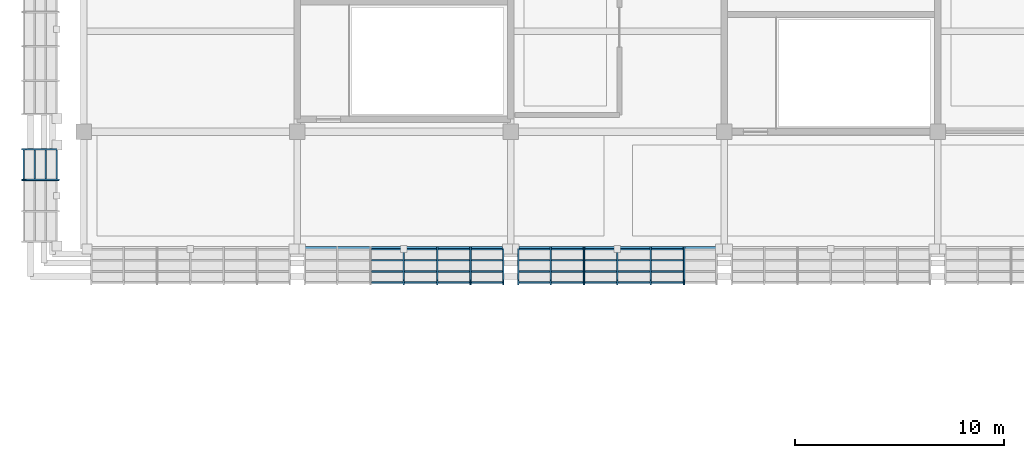
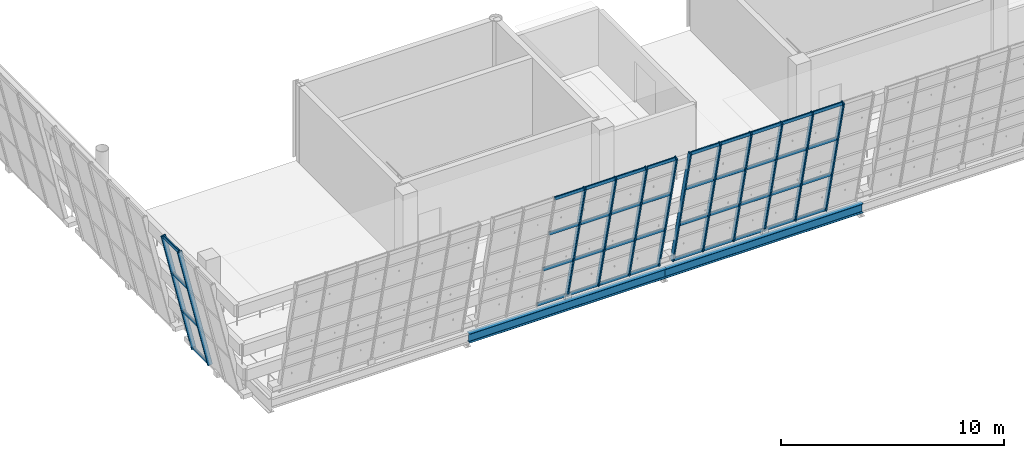
# One storey, part 22 of 157: 52 members, 2 beams, 3 elements without a shape of their own.
"""IFC4 building model written with IfcOpenShell, lengths in metres."""

import ifcopenshell
import ifcopenshell.guid

model = None  # the IFC model being written
_history = None  # IfcOwnerHistory: only IFC2X3 demands one
_inside = {}  # id of a spatial element -> (the spatial element, [elements in it])
_under = {}  # id of a project, library or spatial element -> (it, [spatial elements below it])
_declared = {}  # id of a project -> (the project, [libraries it declares])
_typed = {}  # id of a type object -> (the type object, [elements of that type])
_made_of = {}  # id of a material, layer set ... -> (it, [elements and type objects made of it])


def new_model(schema):
    """Start an empty IFC model of exactly this schema.

    Asked for "IFC4X3", IfcOpenShell would pick the latest addendum, in which some entities
    have other attributes; the version numbers below select the first issue.
    IFC2X3 requires an IfcOwnerHistory on every rooted entity: one is made here for all.
    """
    global model, _history
    if schema == "IFC4X3":
        model = ifcopenshell.file(schema_version=(4, 3, 0, 0))
    else:
        model = ifcopenshell.file(schema=schema)
    _inside.clear()
    _under.clear()
    _declared.clear()
    _typed.clear()
    _made_of.clear()
    _history = None
    if model.schema == "IFC2X3":
        org = make("IfcOrganization", Name="unknown")
        user = make(
            "IfcPersonAndOrganization",
            ThePerson=make("IfcPerson", FamilyName="unknown"),
            TheOrganization=org,
        )
        app = make(
            "IfcApplication",
            ApplicationDeveloper=org,
            Version="unknown",
            ApplicationFullName="unknown",
            ApplicationIdentifier="unknown",
        )
        _history = make(
            "IfcOwnerHistory",
            OwningUser=user,
            OwningApplication=app,
            ChangeAction="ADDED",
            CreationDate=0,
        )
    return model


def make(cls, **values):
    """One entity of the class cls with the attributes given. An attribute that is None is left unset."""
    return model.create_entity(
        cls, **{name: value for name, value in values.items() if value is not None}
    )


def rooted(cls, **values):
    """An entity with a GlobalId (a new one), such as an element, a storey or a relation."""
    return make(cls, GlobalId=ifcopenshell.guid.new(), OwnerHistory=_history, **values)


def si_unit(unit_type, name, prefix=None):
    """IfcSIUnit, for example si_unit("LENGTHUNIT", "METRE", prefix="MILLI")."""
    return make("IfcSIUnit", UnitType=unit_type, Prefix=prefix, Name=name)


def assignment(units):
    """IfcUnitAssignment: the units of a project."""
    return None if units is None else make("IfcUnitAssignment", Units=units)


def point(xyz):
    """IfcCartesianPoint."""
    return None if xyz is None else make("IfcCartesianPoint", Coordinates=xyz)


def direction(xyz):
    """IfcDirection."""
    return None if xyz is None else make("IfcDirection", DirectionRatios=xyz)


def frame(location, z_axis=None, x_axis=None):
    """IfcAxis2Placement3D, a coordinate frame: its origin and axes. An axis left out is left unset."""
    return make(
        "IfcAxis2Placement3D",
        Location=point(location),
        Axis=direction(z_axis),
        RefDirection=direction(x_axis),
    )


def frame_2d(location, x_axis=None):
    """IfcAxis2Placement2D, a coordinate frame in the plane: its origin and x axis."""
    return make(
        "IfcAxis2Placement2D", Location=point(location), RefDirection=direction(x_axis)
    )


def origin():
    """The frame at (0, 0, 0) with its axes left unset."""
    return frame((0.0, 0.0, 0.0))


def origin_2d():
    """The frame at (0, 0) in the plane with its x axis left unset."""
    return frame_2d((0.0, 0.0))


def place(relative_to, where):
    """IfcLocalPlacement: puts the frame where relative to a parent placement (None: the world)."""
    return make(
        "IfcLocalPlacement", PlacementRelTo=relative_to, RelativePlacement=where
    )


def context(
    kind, dimensions, precision=None, world=None, true_north=None, identifier=None
):
    """IfcGeometricRepresentationContext, for example the 3D "Model" context."""
    return make(
        "IfcGeometricRepresentationContext",
        ContextIdentifier=identifier,
        ContextType=kind,
        CoordinateSpaceDimension=dimensions,
        Precision=precision,
        WorldCoordinateSystem=world,
        TrueNorth=true_north,
    )


def subcontext(parent, identifier, kind, view, scale=None):
    """IfcGeometricRepresentationSubContext, for example "Body" below "Model"."""
    return make(
        "IfcGeometricRepresentationSubContext",
        ContextIdentifier=identifier,
        ContextType=kind,
        ParentContext=parent,
        TargetScale=scale,
        TargetView=view,
    )


def project(units=None, contexts=None):
    """IfcProject with its units and contexts."""
    return rooted(
        "IfcProject",
        Name="project",
        RepresentationContexts=contexts,
        UnitsInContext=assignment(units),
    )


def spatial(cls, under=None, at=None, **own):
    """A site, building, storey or space (cls), placed at a placement, below another one or the project."""
    s = rooted(cls, ObjectPlacement=at, **own)
    if under is not None:
        _under.setdefault(under.id(), (under, []))[1].append(s)
    return s


def profile(cls, at=None, kind="AREA", **sizes):
    """A parametric profile (cls). Its sizes go by their IFC names, for example OverallWidth=200.0."""
    return make(cls, ProfileType=kind, Position=at, **sizes)


def hollow_rectangle(**sizes):
    """IfcRectangleHollowProfileDef."""
    return profile("IfcRectangleHollowProfileDef", **sizes)


def i_section(**sizes):
    """IfcIShapeProfileDef."""
    return profile("IfcIShapeProfileDef", **sizes)


def extrude(swept, where, along, depth):
    """IfcExtrudedAreaSolid: the profile swept, set in the frame where, extruded along a direction by depth."""
    return make(
        "IfcExtrudedAreaSolid",
        SweptArea=swept,
        Position=where,
        ExtrudedDirection=direction(along),
        Depth=depth,
    )


def shape(context_of_items, identifier, shape_type, items):
    """IfcShapeRepresentation: the items that make up one representation, for example the "Body"."""
    return make(
        "IfcShapeRepresentation",
        ContextOfItems=context_of_items,
        RepresentationIdentifier=identifier,
        RepresentationType=shape_type,
        Items=items,
    )


def material(Name=None, Category=None):
    """IfcMaterial."""
    return make("IfcMaterial", Name=Name, Category=Category)


def material_profile(
    of_material, cross_section, Name=None, Category=None, Priority=None
):
    """IfcMaterialProfile: a cross section and its material."""
    return make(
        "IfcMaterialProfile",
        Name=Name,
        Material=of_material,
        Profile=cross_section,
        Priority=Priority,
        Category=Category,
    )


def profile_set(profiles, Name=None, composite=None):
    """IfcMaterialProfileSet."""
    return make(
        "IfcMaterialProfileSet",
        Name=Name,
        MaterialProfiles=profiles,
        CompositeProfile=composite,
    )


def made_of(thing, what):
    """Note that an element or type object is made of a material, layer set ...; save() writes the relation."""
    if what is not None:
        _made_of.setdefault(what.id(), (what, []))[1].append(thing)
    return thing


def type_object(cls, material=None, **own):
    """A type object (cls), such as IfcWallType, which elements share."""
    return made_of(rooted(cls, **own), material)


def element(
    cls,
    number,
    at=None,
    inside=None,
    cuts=None,
    type_object=None,
    material=None,
    context=None,
    identifier="Body",
    shape_type=None,
    held_by="IfcProductDefinitionShape",
    body=None,
    shapes=None,
    **own,
):
    """One element of the class cls, such as IfcWall. Its Tag is "e" and its number.

    at: its placement. inside: the storey or other place that contains it. cuts: it is an
    opening in that element (IfcRelVoidsElement). A single representation is given by context,
    identifier, shape_type and body (its items); several are given by shapes. held_by: the class
    of the entity that holds the representations. save() writes the other relations.
    """
    e = rooted(cls, Tag="e%d" % number, ObjectPlacement=at, **own)
    if body is not None:
        shapes = [shape(context, identifier, shape_type, body)]
    if shapes is not None:
        e.Representation = make(held_by, Representations=shapes)
    if inside is not None:
        _inside.setdefault(inside.id(), (inside, []))[1].append(e)
    if cuts is not None:
        rooted(
            "IfcRelVoidsElement", RelatingBuildingElement=cuts, RelatedOpeningElement=e
        )
    if type_object is not None:
        _typed.setdefault(type_object.id(), (type_object, []))[1].append(e)
    return made_of(e, material)


def aggregate(whole, parts):
    """IfcRelAggregates: a whole, such as a stair, and the parts it consists of."""
    return rooted("IfcRelAggregates", RelatingObject=whole, RelatedObjects=parts)


def save(model, path):
    """Write the relations noted so far, then the file.

    IfcRelAggregates (storeys below a building ...), IfcRelContainedInSpatialStructure (elements
    in a storey), IfcRelDefinesByType, IfcRelAssociatesMaterial and IfcRelDeclares: one each for
    every whole, place, type object, material and project.
    """
    for whole, parts in _under.values():
        aggregate(whole, parts)
    for where, things in _inside.values():
        rooted(
            "IfcRelContainedInSpatialStructure",
            RelatedElements=things,
            RelatingStructure=where,
        )
    for kind, things in _typed.values():
        rooted("IfcRelDefinesByType", RelatedObjects=things, RelatingType=kind)
    for what, things in _made_of.values():
        rooted("IfcRelAssociatesMaterial", RelatedObjects=things, RelatingMaterial=what)
    for by, libraries in _declared.values():
        rooted("IfcRelDeclares", RelatingContext=by, RelatedDefinitions=libraries)
    model.write(path)


model = new_model("IFC4")

# Units and contexts
model_context = context("Model", 3, precision=1e-05, world=origin(), true_north=direction((0.0, 1.0)))
body_context = subcontext(model_context, "Body", "Model", "MODEL_VIEW")
ifc_project = project(units=[si_unit("LENGTHUNIT", "METRE"), si_unit("AREAUNIT", "SQUARE_METRE"), si_unit("VOLUMEUNIT", "CUBIC_METRE"), si_unit("PLANEANGLEUNIT", "RADIAN"), si_unit("MASSUNIT", "GRAM", prefix="KILO")], contexts=[model_context])

# Site, building, storey
site_placement = place(None, origin())
site = spatial("IfcSite", under=ifc_project, at=site_placement, CompositionType="ELEMENT")
building_placement = place(site_placement, origin())
building = spatial("IfcBuilding", under=site, at=building_placement, Name="Brelvane Convention Centre", CompositionType="ELEMENT")
storey_placement = place(building_placement, frame((0.0, 0.0, 10.800048828125)))
storey = spatial("IfcBuildingStorey", under=building, at=storey_placement, Name="L02", CompositionType="ELEMENT", Elevation=10.800048828125)

# Curtain wall, members
ifc_material_1 = material(Name="Anodised Aluminium Alloy 6063-T6", Category="aluminium")
curtain_wall_type = type_object("IfcCurtainWallType", Name="Curtain Wall CW-HULL-S", PredefinedType="USERDEFINED", material=ifc_material_1)
curtain_wall_1_placement = place(storey_placement, origin())
curtain_wall_1 = element("IfcCurtainWall", 1, at=curtain_wall_1_placement, inside=storey, type_object=curtain_wall_type, Name="Curtain Wall CW-HULL-S L02-HULL-S-L02-02", ObjectType="UNITISED", PredefinedType="USERDEFINED")
ifc_material_2 = material(Name="Anodised Aluminium Alloy 6063-T6", Category="aluminium")
ifc_material_profile_1 = material_profile(ifc_material_2, hollow_rectangle(XDim=0.080078125, YDim=0.239990234375, WallThickness=0.006103515625, InnerFilletRadius=0.006103515625, OuterFilletRadius=0.011962890625, at=origin_2d()), Name="ALU-M 240x80x6.0")
ifc_profile_set_1 = profile_set([ifc_material_profile_1], Name="Anodised Aluminium Alloy 6063-T6")
member_type_1 = type_object("IfcMemberType", Name="Curtain Mullion CW-M1", PredefinedType="MULLION", material=ifc_profile_set_1)
member_1_placement = place(storey_placement, frame((15.300048828125, 13.60009765625, 0.0), z_axis=(0.0, -0.228360410362, 0.973576665178), x_axis=(1.0, 0.0, 0.0)))
member_1 = element("IfcMember", 2, at=member_1_placement, type_object=member_type_1, Name="CW-HULL-S mullion 4", PredefinedType="MULLION", context=body_context, shape_type="SweptSolid", body=[
    extrude(hollow_rectangle(XDim=0.080078125, YDim=0.239990234375, WallThickness=0.006103515625, InnerFilletRadius=0.006103515625, OuterFilletRadius=0.011962890625, at=origin_2d()), origin(), (0.0, 0.0, 1.0), 7.03564453125),
])
member_2_placement = place(storey_placement, frame((16.893310546875, 13.60009765625, 0.0), z_axis=(0.0, -0.228360410362, 0.973576665178), x_axis=(1.0, 0.0, 0.0)))
member_2 = element("IfcMember", 3, at=member_2_placement, type_object=member_type_1, Name="CW-HULL-S mullion 5", PredefinedType="MULLION", context=body_context, shape_type="SweptSolid", body=[
    extrude(hollow_rectangle(XDim=0.080078125, YDim=0.239990234375, WallThickness=0.006103515625, InnerFilletRadius=0.006103515625, OuterFilletRadius=0.011962890625, at=origin_2d()), origin(), (0.0, 0.0, 1.0), 7.03564453125),
])
member_3_placement = place(storey_placement, frame((18.486572265625, 13.60009765625, 0.0), z_axis=(0.0, -0.228360410362, 0.973576665178), x_axis=(1.0, 0.0, 0.0)))
member_3 = element("IfcMember", 4, at=member_3_placement, type_object=member_type_1, Name="CW-HULL-S mullion 6", PredefinedType="MULLION", context=body_context, shape_type="SweptSolid", body=[
    extrude(hollow_rectangle(XDim=0.080078125, YDim=0.239990234375, WallThickness=0.006103515625, InnerFilletRadius=0.006103515625, OuterFilletRadius=0.011962890625, at=origin_2d()), origin(), (0.0, 0.0, 1.0), 7.03564453125),
])
member_4_placement = place(storey_placement, frame((20.0400390625, 13.60009765625, 0.0), z_axis=(0.0, -0.228360410362, 0.973576665178), x_axis=(1.0, 0.0, 0.0)))
member_4 = element("IfcMember", 5, at=member_4_placement, type_object=member_type_1, Name="CW-HULL-S mullion 7", PredefinedType="MULLION", context=body_context, shape_type="SweptSolid", body=[
    extrude(hollow_rectangle(XDim=0.080078125, YDim=0.239990234375, WallThickness=0.006103515625, InnerFilletRadius=0.006103515625, OuterFilletRadius=0.011962890625, at=origin_2d()), origin(), (0.0, 0.0, 1.0), 7.03564453125),
])

curtain_wall_2_placement = place(storey_placement, origin())
curtain_wall_2 = element("IfcCurtainWall", 6, at=curtain_wall_2_placement, inside=storey, type_object=curtain_wall_type, Name="Curtain Wall CW-HULL-S L02-HULL-S-L02-03", ObjectType="UNITISED", PredefinedType="USERDEFINED")
member_5_placement = place(storey_placement, frame((20.760009765625, 13.60009765625, 0.0), z_axis=(0.0, -0.228360410362, 0.973576665178), x_axis=(1.0, 0.0, 0.0)))
member_5 = element("IfcMember", 7, at=member_5_placement, type_object=member_type_1, Name="CW-HULL-S mullion 1", PredefinedType="MULLION", context=body_context, shape_type="SweptSolid", body=[
    extrude(hollow_rectangle(XDim=0.080078125, YDim=0.239990234375, WallThickness=0.006103515625, InnerFilletRadius=0.006103515625, OuterFilletRadius=0.011962890625, at=origin_2d()), origin(), (0.0, 0.0, 1.0), 7.03564453125),
])
member_6_placement = place(storey_placement, frame((22.313232421875, 13.60009765625, 0.0), z_axis=(0.0, -0.228360410362, 0.973576665178), x_axis=(1.0, 0.0, 0.0)))
member_6 = element("IfcMember", 8, at=member_6_placement, type_object=member_type_1, Name="CW-HULL-S mullion 2", PredefinedType="MULLION", context=body_context, shape_type="SweptSolid", body=[
    extrude(hollow_rectangle(XDim=0.080078125, YDim=0.239990234375, WallThickness=0.006103515625, InnerFilletRadius=0.006103515625, OuterFilletRadius=0.011962890625, at=origin_2d()), origin(), (0.0, 0.0, 1.0), 7.03564453125),
])
member_7_placement = place(storey_placement, frame((23.90673828125, 13.60009765625, 0.0), z_axis=(0.0, -0.228360410362, 0.973576665178), x_axis=(1.0, 0.0, 0.0)))
member_7 = element("IfcMember", 9, at=member_7_placement, type_object=member_type_1, Name="CW-HULL-S mullion 3", PredefinedType="MULLION", context=body_context, shape_type="SweptSolid", body=[
    extrude(hollow_rectangle(XDim=0.080078125, YDim=0.239990234375, WallThickness=0.006103515625, InnerFilletRadius=0.006103515625, OuterFilletRadius=0.011962890625, at=origin_2d()), origin(), (0.0, 0.0, 1.0), 7.03564453125),
])
member_8_placement = place(storey_placement, frame((25.5, 13.60009765625, 0.0), z_axis=(0.0, -0.228360410362, 0.973576665178), x_axis=(1.0, 0.0, 0.0)))
member_8 = element("IfcMember", 10, at=member_8_placement, type_object=member_type_1, Name="CW-HULL-S mullion 4", PredefinedType="MULLION", context=body_context, shape_type="SweptSolid", body=[
    extrude(hollow_rectangle(XDim=0.080078125, YDim=0.239990234375, WallThickness=0.006103515625, InnerFilletRadius=0.006103515625, OuterFilletRadius=0.011962890625, at=origin_2d()), origin(), (0.0, 0.0, 1.0), 7.03564453125),
])
member_9_placement = place(storey_placement, frame((27.09326171875, 13.60009765625, 0.0), z_axis=(0.0, -0.228360410362, 0.973576665178), x_axis=(1.0, 0.0, 0.0)))
member_9 = element("IfcMember", 11, at=member_9_placement, type_object=member_type_1, Name="CW-HULL-S mullion 5", PredefinedType="MULLION", context=body_context, shape_type="SweptSolid", body=[
    extrude(hollow_rectangle(XDim=0.080078125, YDim=0.239990234375, WallThickness=0.006103515625, InnerFilletRadius=0.006103515625, OuterFilletRadius=0.011962890625, at=origin_2d()), origin(), (0.0, 0.0, 1.0), 7.03564453125),
])
member_10_placement = place(storey_placement, frame((28.686767578125, 13.60009765625, 0.0), z_axis=(0.0, -0.228360410362, 0.973576665178), x_axis=(1.0, 0.0, 0.0)))
member_10 = element("IfcMember", 12, at=member_10_placement, type_object=member_type_1, Name="CW-HULL-S mullion 6", PredefinedType="MULLION", context=body_context, shape_type="SweptSolid", body=[
    extrude(hollow_rectangle(XDim=0.080078125, YDim=0.239990234375, WallThickness=0.006103515625, InnerFilletRadius=0.006103515625, OuterFilletRadius=0.011962890625, at=origin_2d()), origin(), (0.0, 0.0, 1.0), 7.03564453125),
])

curtain_wall_3_placement = place(storey_placement, origin())
curtain_wall_3 = element("IfcCurtainWall", 13, at=curtain_wall_3_placement, inside=storey, type_object=curtain_wall_type, Name="Curtain Wall CW-HULL-S L02-HULL-W-GAL-L02-A", ObjectType="UNITISED", PredefinedType="USERDEFINED")
member_11_placement = place(storey_placement, frame((-1.280029296875, 16.89990234375, 0.0), z_axis=(-0.228358217905, 0.0, 0.973577179434), x_axis=(0.0, -1.0, 0.0)))
member_11 = element("IfcMember", 14, at=member_11_placement, type_object=member_type_1, Name="CW-HULL-S mullion 3", PredefinedType="MULLION", context=body_context, shape_type="SweptSolid", body=[
    extrude(hollow_rectangle(XDim=0.080078125, YDim=0.239990234375, WallThickness=0.006103515625, InnerFilletRadius=0.006103515625, OuterFilletRadius=0.011962890625, at=origin_2d()), origin(), (0.0, 0.0, 1.0), 6.93310546875),
])
member_12_placement = place(storey_placement, frame((-1.280029296875, 18.360107421875, 0.0), z_axis=(-0.228358217905, 0.0, 0.973577179434), x_axis=(0.0, -1.0, 0.0)))
member_12 = element("IfcMember", 15, at=member_12_placement, type_object=member_type_1, Name="CW-HULL-S mullion 4", PredefinedType="MULLION", context=body_context, shape_type="SweptSolid", body=[
    extrude(hollow_rectangle(XDim=0.080078125, YDim=0.239990234375, WallThickness=0.006103515625, InnerFilletRadius=0.006103515625, OuterFilletRadius=0.011962890625, at=origin_2d()), origin(), (0.0, 0.0, 1.0), 6.93310546875),
])

# Member
ifc_material_3 = material(Name="Anodised Aluminium Alloy 6063-T6", Category="aluminium")
ifc_material_profile_2 = material_profile(ifc_material_3, hollow_rectangle(XDim=0.080078125, YDim=0.179931640625, WallThickness=0.0048828125, InnerFilletRadius=0.0048828125, OuterFilletRadius=0.010009765625, at=origin_2d()), Name="ALU-T 180x80x5.0")
ifc_profile_set_2 = profile_set([ifc_material_profile_2], Name="Anodised Aluminium Alloy 6063-T6")
member_type_2 = type_object("IfcMemberType", Name="Curtain Transom CW-T1", PredefinedType="USERDEFINED", material=ifc_profile_set_2)
member_13_placement = place(storey_placement, frame((13.74658203125, 13.590576171875, 0.0400390625), z_axis=(1.0, 0.0, 0.0), x_axis=(0.0, 1.0, 0.0)))
member_13 = element("IfcMember", 16, at=member_13_placement, type_object=member_type_2, Name="CW-HULL-S transom 3.1", ObjectType="TRANSOM", PredefinedType="USERDEFINED", context=body_context, shape_type="SweptSolid", body=[
    extrude(hollow_rectangle(XDim=0.080078125, YDim=0.179931640625, WallThickness=0.0048828125, InnerFilletRadius=0.0048828125, OuterFilletRadius=0.010009765625, at=origin_2d()), origin(), (0.0, 0.0, 1.0), 1.513427734375),
])

member_14_placement = place(storey_placement, frame((13.74658203125, 13.064453125, 2.283203125), z_axis=(1.0, 0.0, 0.0), x_axis=(0.0, 1.0, 0.0)))
member_14 = element("IfcMember", 17, at=member_14_placement, type_object=member_type_2, Name="CW-HULL-S transom 3.2", ObjectType="TRANSOM", PredefinedType="USERDEFINED", context=body_context, shape_type="SweptSolid", body=[
    extrude(hollow_rectangle(XDim=0.080078125, YDim=0.179931640625, WallThickness=0.0048828125, InnerFilletRadius=0.0048828125, OuterFilletRadius=0.010009765625, at=origin_2d()), origin(), (0.0, 0.0, 1.0), 1.513427734375),
])

member_15_placement = place(storey_placement, frame((13.74658203125, 12.52880859375, 4.566650390625), z_axis=(1.0, 0.0, 0.0), x_axis=(0.0, 1.0, 0.0)))
member_15 = element("IfcMember", 18, at=member_15_placement, type_object=member_type_2, Name="CW-HULL-S transom 3.3", ObjectType="TRANSOM", PredefinedType="USERDEFINED", context=body_context, shape_type="SweptSolid", body=[
    extrude(hollow_rectangle(XDim=0.080078125, YDim=0.179931640625, WallThickness=0.0048828125, InnerFilletRadius=0.0048828125, OuterFilletRadius=0.010009765625, at=origin_2d()), origin(), (0.0, 0.0, 1.0), 1.513427734375),
])

member_16_placement = place(storey_placement, frame((13.74658203125, 12.002685546875, 6.81005859375), z_axis=(1.0, 0.0, 0.0), x_axis=(0.0, 1.0, 0.0)))
member_16 = element("IfcMember", 19, at=member_16_placement, type_object=member_type_2, Name="CW-HULL-S transom 3.4", ObjectType="TRANSOM", PredefinedType="USERDEFINED", context=body_context, shape_type="SweptSolid", body=[
    extrude(hollow_rectangle(XDim=0.080078125, YDim=0.179931640625, WallThickness=0.0048828125, InnerFilletRadius=0.0048828125, OuterFilletRadius=0.010009765625, at=origin_2d()), origin(), (0.0, 0.0, 1.0), 1.513427734375),
])

member_17_placement = place(storey_placement, frame((15.340087890625, 13.590576171875, 0.0400390625), z_axis=(1.0, 0.0, 0.0), x_axis=(0.0, 1.0, 0.0)))
member_17 = element("IfcMember", 20, at=member_17_placement, type_object=member_type_2, Name="CW-HULL-S transom 4.1", ObjectType="TRANSOM", PredefinedType="USERDEFINED", context=body_context, shape_type="SweptSolid", body=[
    extrude(hollow_rectangle(XDim=0.080078125, YDim=0.179931640625, WallThickness=0.0048828125, InnerFilletRadius=0.0048828125, OuterFilletRadius=0.010009765625, at=origin_2d()), origin(), (0.0, 0.0, 1.0), 1.51318359375),
])

member_18_placement = place(storey_placement, frame((15.340087890625, 13.064453125, 2.283203125), z_axis=(1.0, 0.0, 0.0), x_axis=(0.0, 1.0, 0.0)))
member_18 = element("IfcMember", 21, at=member_18_placement, type_object=member_type_2, Name="CW-HULL-S transom 4.2", ObjectType="TRANSOM", PredefinedType="USERDEFINED", context=body_context, shape_type="SweptSolid", body=[
    extrude(hollow_rectangle(XDim=0.080078125, YDim=0.179931640625, WallThickness=0.0048828125, InnerFilletRadius=0.0048828125, OuterFilletRadius=0.010009765625, at=origin_2d()), origin(), (0.0, 0.0, 1.0), 1.51318359375),
])

member_19_placement = place(storey_placement, frame((15.340087890625, 12.52880859375, 4.566650390625), z_axis=(1.0, 0.0, 0.0), x_axis=(0.0, 1.0, 0.0)))
member_19 = element("IfcMember", 22, at=member_19_placement, type_object=member_type_2, Name="CW-HULL-S transom 4.3", ObjectType="TRANSOM", PredefinedType="USERDEFINED", context=body_context, shape_type="SweptSolid", body=[
    extrude(hollow_rectangle(XDim=0.080078125, YDim=0.179931640625, WallThickness=0.0048828125, InnerFilletRadius=0.0048828125, OuterFilletRadius=0.010009765625, at=origin_2d()), origin(), (0.0, 0.0, 1.0), 1.51318359375),
])

member_20_placement = place(storey_placement, frame((15.340087890625, 12.002685546875, 6.81005859375), z_axis=(1.0, 0.0, 0.0), x_axis=(0.0, 1.0, 0.0)))
member_20 = element("IfcMember", 23, at=member_20_placement, type_object=member_type_2, Name="CW-HULL-S transom 4.4", ObjectType="TRANSOM", PredefinedType="USERDEFINED", context=body_context, shape_type="SweptSolid", body=[
    extrude(hollow_rectangle(XDim=0.080078125, YDim=0.179931640625, WallThickness=0.0048828125, InnerFilletRadius=0.0048828125, OuterFilletRadius=0.010009765625, at=origin_2d()), origin(), (0.0, 0.0, 1.0), 1.51318359375),
])

member_21_placement = place(storey_placement, frame((16.933349609375, 13.590576171875, 0.0400390625), z_axis=(1.0, 0.0, 0.0), x_axis=(0.0, 1.0, 0.0)))
member_21 = element("IfcMember", 24, at=member_21_placement, type_object=member_type_2, Name="CW-HULL-S transom 5.1", ObjectType="TRANSOM", PredefinedType="USERDEFINED", context=body_context, shape_type="SweptSolid", body=[
    extrude(hollow_rectangle(XDim=0.080078125, YDim=0.179931640625, WallThickness=0.0048828125, InnerFilletRadius=0.0048828125, OuterFilletRadius=0.010009765625, at=origin_2d()), origin(), (0.0, 0.0, 1.0), 1.513427734375),
])

member_22_placement = place(storey_placement, frame((16.933349609375, 13.064453125, 2.283203125), z_axis=(1.0, 0.0, 0.0), x_axis=(0.0, 1.0, 0.0)))
member_22 = element("IfcMember", 25, at=member_22_placement, type_object=member_type_2, Name="CW-HULL-S transom 5.2", ObjectType="TRANSOM", PredefinedType="USERDEFINED", context=body_context, shape_type="SweptSolid", body=[
    extrude(hollow_rectangle(XDim=0.080078125, YDim=0.179931640625, WallThickness=0.0048828125, InnerFilletRadius=0.0048828125, OuterFilletRadius=0.010009765625, at=origin_2d()), origin(), (0.0, 0.0, 1.0), 1.513427734375),
])

member_23_placement = place(storey_placement, frame((16.933349609375, 12.52880859375, 4.566650390625), z_axis=(1.0, 0.0, 0.0), x_axis=(0.0, 1.0, 0.0)))
member_23 = element("IfcMember", 26, at=member_23_placement, type_object=member_type_2, Name="CW-HULL-S transom 5.3", ObjectType="TRANSOM", PredefinedType="USERDEFINED", context=body_context, shape_type="SweptSolid", body=[
    extrude(hollow_rectangle(XDim=0.080078125, YDim=0.179931640625, WallThickness=0.0048828125, InnerFilletRadius=0.0048828125, OuterFilletRadius=0.010009765625, at=origin_2d()), origin(), (0.0, 0.0, 1.0), 1.513427734375),
])

member_24_placement = place(storey_placement, frame((16.933349609375, 12.002685546875, 6.81005859375), z_axis=(1.0, 0.0, 0.0), x_axis=(0.0, 1.0, 0.0)))
member_24 = element("IfcMember", 27, at=member_24_placement, type_object=member_type_2, Name="CW-HULL-S transom 5.4", ObjectType="TRANSOM", PredefinedType="USERDEFINED", context=body_context, shape_type="SweptSolid", body=[
    extrude(hollow_rectangle(XDim=0.080078125, YDim=0.179931640625, WallThickness=0.0048828125, InnerFilletRadius=0.0048828125, OuterFilletRadius=0.010009765625, at=origin_2d()), origin(), (0.0, 0.0, 1.0), 1.513427734375),
])

member_25_placement = place(storey_placement, frame((18.526611328125, 13.590576171875, 0.0400390625), z_axis=(1.0, 0.0, 0.0), x_axis=(0.0, 1.0, 0.0)))
member_25 = element("IfcMember", 28, at=member_25_placement, type_object=member_type_2, Name="CW-HULL-S transom 6.1", ObjectType="TRANSOM", PredefinedType="USERDEFINED", context=body_context, shape_type="SweptSolid", body=[
    extrude(hollow_rectangle(XDim=0.080078125, YDim=0.179931640625, WallThickness=0.0048828125, InnerFilletRadius=0.0048828125, OuterFilletRadius=0.010009765625, at=origin_2d()), origin(), (0.0, 0.0, 1.0), 1.473388671875),
])

member_26_placement = place(storey_placement, frame((18.526611328125, 13.064453125, 2.283203125), z_axis=(1.0, 0.0, 0.0), x_axis=(0.0, 1.0, 0.0)))
member_26 = element("IfcMember", 29, at=member_26_placement, type_object=member_type_2, Name="CW-HULL-S transom 6.2", ObjectType="TRANSOM", PredefinedType="USERDEFINED", context=body_context, shape_type="SweptSolid", body=[
    extrude(hollow_rectangle(XDim=0.080078125, YDim=0.179931640625, WallThickness=0.0048828125, InnerFilletRadius=0.0048828125, OuterFilletRadius=0.010009765625, at=origin_2d()), origin(), (0.0, 0.0, 1.0), 1.473388671875),
])

member_27_placement = place(storey_placement, frame((18.526611328125, 12.52880859375, 4.566650390625), z_axis=(1.0, 0.0, 0.0), x_axis=(0.0, 1.0, 0.0)))
member_27 = element("IfcMember", 30, at=member_27_placement, type_object=member_type_2, Name="CW-HULL-S transom 6.3", ObjectType="TRANSOM", PredefinedType="USERDEFINED", context=body_context, shape_type="SweptSolid", body=[
    extrude(hollow_rectangle(XDim=0.080078125, YDim=0.179931640625, WallThickness=0.0048828125, InnerFilletRadius=0.0048828125, OuterFilletRadius=0.010009765625, at=origin_2d()), origin(), (0.0, 0.0, 1.0), 1.473388671875),
])

member_28_placement = place(storey_placement, frame((18.526611328125, 12.002685546875, 6.81005859375), z_axis=(1.0, 0.0, 0.0), x_axis=(0.0, 1.0, 0.0)))
member_28 = element("IfcMember", 31, at=member_28_placement, type_object=member_type_2, Name="CW-HULL-S transom 6.4", ObjectType="TRANSOM", PredefinedType="USERDEFINED", context=body_context, shape_type="SweptSolid", body=[
    extrude(hollow_rectangle(XDim=0.080078125, YDim=0.179931640625, WallThickness=0.0048828125, InnerFilletRadius=0.0048828125, OuterFilletRadius=0.010009765625, at=origin_2d()), origin(), (0.0, 0.0, 1.0), 1.473388671875),
])

aggregate(curtain_wall_1, [member_1, member_2, member_3, member_4, member_13, member_14, member_15, member_16, member_17, member_18, member_19, member_20, member_21, member_22, member_23, member_24, member_25, member_26, member_27, member_28])

member_29_placement = place(storey_placement, frame((20.800048828125, 13.590576171875, 0.0400390625), z_axis=(1.0, 0.0, 0.0), x_axis=(0.0, 1.0, 0.0)))
member_29 = element("IfcMember", 32, at=member_29_placement, type_object=member_type_2, Name="CW-HULL-S transom 1.1", ObjectType="TRANSOM", PredefinedType="USERDEFINED", context=body_context, shape_type="SweptSolid", body=[
    extrude(hollow_rectangle(XDim=0.080078125, YDim=0.179931640625, WallThickness=0.0048828125, InnerFilletRadius=0.0048828125, OuterFilletRadius=0.010009765625, at=origin_2d()), origin(), (0.0, 0.0, 1.0), 1.473388671875),
])

member_30_placement = place(storey_placement, frame((20.800048828125, 13.064453125, 2.283203125), z_axis=(1.0, 0.0, 0.0), x_axis=(0.0, 1.0, 0.0)))
member_30 = element("IfcMember", 33, at=member_30_placement, type_object=member_type_2, Name="CW-HULL-S transom 1.2", ObjectType="TRANSOM", PredefinedType="USERDEFINED", context=body_context, shape_type="SweptSolid", body=[
    extrude(hollow_rectangle(XDim=0.080078125, YDim=0.179931640625, WallThickness=0.0048828125, InnerFilletRadius=0.0048828125, OuterFilletRadius=0.010009765625, at=origin_2d()), origin(), (0.0, 0.0, 1.0), 1.473388671875),
])

member_31_placement = place(storey_placement, frame((20.800048828125, 12.52880859375, 4.566650390625), z_axis=(1.0, 0.0, 0.0), x_axis=(0.0, 1.0, 0.0)))
member_31 = element("IfcMember", 34, at=member_31_placement, type_object=member_type_2, Name="CW-HULL-S transom 1.3", ObjectType="TRANSOM", PredefinedType="USERDEFINED", context=body_context, shape_type="SweptSolid", body=[
    extrude(hollow_rectangle(XDim=0.080078125, YDim=0.179931640625, WallThickness=0.0048828125, InnerFilletRadius=0.0048828125, OuterFilletRadius=0.010009765625, at=origin_2d()), origin(), (0.0, 0.0, 1.0), 1.473388671875),
])

member_32_placement = place(storey_placement, frame((20.800048828125, 12.002685546875, 6.81005859375), z_axis=(1.0, 0.0, 0.0), x_axis=(0.0, 1.0, 0.0)))
member_32 = element("IfcMember", 35, at=member_32_placement, type_object=member_type_2, Name="CW-HULL-S transom 1.4", ObjectType="TRANSOM", PredefinedType="USERDEFINED", context=body_context, shape_type="SweptSolid", body=[
    extrude(hollow_rectangle(XDim=0.080078125, YDim=0.179931640625, WallThickness=0.0048828125, InnerFilletRadius=0.0048828125, OuterFilletRadius=0.010009765625, at=origin_2d()), origin(), (0.0, 0.0, 1.0), 1.473388671875),
])

member_33_placement = place(storey_placement, frame((22.353271484375, 13.590576171875, 0.0400390625), z_axis=(1.0, 0.0, 0.0), x_axis=(0.0, 1.0, 0.0)))
member_33 = element("IfcMember", 36, at=member_33_placement, type_object=member_type_2, Name="CW-HULL-S transom 2.1", ObjectType="TRANSOM", PredefinedType="USERDEFINED", context=body_context, shape_type="SweptSolid", body=[
    extrude(hollow_rectangle(XDim=0.080078125, YDim=0.179931640625, WallThickness=0.0048828125, InnerFilletRadius=0.0048828125, OuterFilletRadius=0.010009765625, at=origin_2d()), origin(), (0.0, 0.0, 1.0), 1.513427734375),
])

member_34_placement = place(storey_placement, frame((22.353271484375, 13.064453125, 2.283203125), z_axis=(1.0, 0.0, 0.0), x_axis=(0.0, 1.0, 0.0)))
member_34 = element("IfcMember", 37, at=member_34_placement, type_object=member_type_2, Name="CW-HULL-S transom 2.2", ObjectType="TRANSOM", PredefinedType="USERDEFINED", context=body_context, shape_type="SweptSolid", body=[
    extrude(hollow_rectangle(XDim=0.080078125, YDim=0.179931640625, WallThickness=0.0048828125, InnerFilletRadius=0.0048828125, OuterFilletRadius=0.010009765625, at=origin_2d()), origin(), (0.0, 0.0, 1.0), 1.513427734375),
])

member_35_placement = place(storey_placement, frame((22.353271484375, 12.52880859375, 4.566650390625), z_axis=(1.0, 0.0, 0.0), x_axis=(0.0, 1.0, 0.0)))
member_35 = element("IfcMember", 38, at=member_35_placement, type_object=member_type_2, Name="CW-HULL-S transom 2.3", ObjectType="TRANSOM", PredefinedType="USERDEFINED", context=body_context, shape_type="SweptSolid", body=[
    extrude(hollow_rectangle(XDim=0.080078125, YDim=0.179931640625, WallThickness=0.0048828125, InnerFilletRadius=0.0048828125, OuterFilletRadius=0.010009765625, at=origin_2d()), origin(), (0.0, 0.0, 1.0), 1.513427734375),
])

member_36_placement = place(storey_placement, frame((22.353271484375, 12.002685546875, 6.81005859375), z_axis=(1.0, 0.0, 0.0), x_axis=(0.0, 1.0, 0.0)))
member_36 = element("IfcMember", 39, at=member_36_placement, type_object=member_type_2, Name="CW-HULL-S transom 2.4", ObjectType="TRANSOM", PredefinedType="USERDEFINED", context=body_context, shape_type="SweptSolid", body=[
    extrude(hollow_rectangle(XDim=0.080078125, YDim=0.179931640625, WallThickness=0.0048828125, InnerFilletRadius=0.0048828125, OuterFilletRadius=0.010009765625, at=origin_2d()), origin(), (0.0, 0.0, 1.0), 1.513427734375),
])

member_37_placement = place(storey_placement, frame((23.94677734375, 13.590576171875, 0.0400390625), z_axis=(1.0, 0.0, 0.0), x_axis=(0.0, 1.0, 0.0)))
member_37 = element("IfcMember", 40, at=member_37_placement, type_object=member_type_2, Name="CW-HULL-S transom 3.1", ObjectType="TRANSOM", PredefinedType="USERDEFINED", context=body_context, shape_type="SweptSolid", body=[
    extrude(hollow_rectangle(XDim=0.080078125, YDim=0.179931640625, WallThickness=0.0048828125, InnerFilletRadius=0.0048828125, OuterFilletRadius=0.010009765625, at=origin_2d()), origin(), (0.0, 0.0, 1.0), 1.51318359375),
])

member_38_placement = place(storey_placement, frame((23.94677734375, 13.064453125, 2.283203125), z_axis=(1.0, 0.0, 0.0), x_axis=(0.0, 1.0, 0.0)))
member_38 = element("IfcMember", 41, at=member_38_placement, type_object=member_type_2, Name="CW-HULL-S transom 3.2", ObjectType="TRANSOM", PredefinedType="USERDEFINED", context=body_context, shape_type="SweptSolid", body=[
    extrude(hollow_rectangle(XDim=0.080078125, YDim=0.179931640625, WallThickness=0.0048828125, InnerFilletRadius=0.0048828125, OuterFilletRadius=0.010009765625, at=origin_2d()), origin(), (0.0, 0.0, 1.0), 1.51318359375),
])

member_39_placement = place(storey_placement, frame((23.94677734375, 12.52880859375, 4.566650390625), z_axis=(1.0, 0.0, 0.0), x_axis=(0.0, 1.0, 0.0)))
member_39 = element("IfcMember", 42, at=member_39_placement, type_object=member_type_2, Name="CW-HULL-S transom 3.3", ObjectType="TRANSOM", PredefinedType="USERDEFINED", context=body_context, shape_type="SweptSolid", body=[
    extrude(hollow_rectangle(XDim=0.080078125, YDim=0.179931640625, WallThickness=0.0048828125, InnerFilletRadius=0.0048828125, OuterFilletRadius=0.010009765625, at=origin_2d()), origin(), (0.0, 0.0, 1.0), 1.51318359375),
])

member_40_placement = place(storey_placement, frame((23.94677734375, 12.002685546875, 6.81005859375), z_axis=(1.0, 0.0, 0.0), x_axis=(0.0, 1.0, 0.0)))
member_40 = element("IfcMember", 43, at=member_40_placement, type_object=member_type_2, Name="CW-HULL-S transom 3.4", ObjectType="TRANSOM", PredefinedType="USERDEFINED", context=body_context, shape_type="SweptSolid", body=[
    extrude(hollow_rectangle(XDim=0.080078125, YDim=0.179931640625, WallThickness=0.0048828125, InnerFilletRadius=0.0048828125, OuterFilletRadius=0.010009765625, at=origin_2d()), origin(), (0.0, 0.0, 1.0), 1.51318359375),
])

member_41_placement = place(storey_placement, frame((25.5400390625, 13.590576171875, 0.0400390625), z_axis=(1.0, 0.0, 0.0), x_axis=(0.0, 1.0, 0.0)))
member_41 = element("IfcMember", 44, at=member_41_placement, type_object=member_type_2, Name="CW-HULL-S transom 4.1", ObjectType="TRANSOM", PredefinedType="USERDEFINED", context=body_context, shape_type="SweptSolid", body=[
    extrude(hollow_rectangle(XDim=0.080078125, YDim=0.179931640625, WallThickness=0.0048828125, InnerFilletRadius=0.0048828125, OuterFilletRadius=0.010009765625, at=origin_2d()), origin(), (0.0, 0.0, 1.0), 1.51318359375),
])

member_42_placement = place(storey_placement, frame((25.5400390625, 13.064453125, 2.283203125), z_axis=(1.0, 0.0, 0.0), x_axis=(0.0, 1.0, 0.0)))
member_42 = element("IfcMember", 45, at=member_42_placement, type_object=member_type_2, Name="CW-HULL-S transom 4.2", ObjectType="TRANSOM", PredefinedType="USERDEFINED", context=body_context, shape_type="SweptSolid", body=[
    extrude(hollow_rectangle(XDim=0.080078125, YDim=0.179931640625, WallThickness=0.0048828125, InnerFilletRadius=0.0048828125, OuterFilletRadius=0.010009765625, at=origin_2d()), origin(), (0.0, 0.0, 1.0), 1.51318359375),
])

member_43_placement = place(storey_placement, frame((25.5400390625, 12.52880859375, 4.566650390625), z_axis=(1.0, 0.0, 0.0), x_axis=(0.0, 1.0, 0.0)))
member_43 = element("IfcMember", 46, at=member_43_placement, type_object=member_type_2, Name="CW-HULL-S transom 4.3", ObjectType="TRANSOM", PredefinedType="USERDEFINED", context=body_context, shape_type="SweptSolid", body=[
    extrude(hollow_rectangle(XDim=0.080078125, YDim=0.179931640625, WallThickness=0.0048828125, InnerFilletRadius=0.0048828125, OuterFilletRadius=0.010009765625, at=origin_2d()), origin(), (0.0, 0.0, 1.0), 1.51318359375),
])

member_44_placement = place(storey_placement, frame((25.5400390625, 12.002685546875, 6.81005859375), z_axis=(1.0, 0.0, 0.0), x_axis=(0.0, 1.0, 0.0)))
member_44 = element("IfcMember", 47, at=member_44_placement, type_object=member_type_2, Name="CW-HULL-S transom 4.4", ObjectType="TRANSOM", PredefinedType="USERDEFINED", context=body_context, shape_type="SweptSolid", body=[
    extrude(hollow_rectangle(XDim=0.080078125, YDim=0.179931640625, WallThickness=0.0048828125, InnerFilletRadius=0.0048828125, OuterFilletRadius=0.010009765625, at=origin_2d()), origin(), (0.0, 0.0, 1.0), 1.51318359375),
])

member_45_placement = place(storey_placement, frame((27.13330078125, 13.590576171875, 0.0400390625), z_axis=(1.0, 0.0, 0.0), x_axis=(0.0, 1.0, 0.0)))
member_45 = element("IfcMember", 48, at=member_45_placement, type_object=member_type_2, Name="CW-HULL-S transom 5.1", ObjectType="TRANSOM", PredefinedType="USERDEFINED", context=body_context, shape_type="SweptSolid", body=[
    extrude(hollow_rectangle(XDim=0.080078125, YDim=0.179931640625, WallThickness=0.0048828125, InnerFilletRadius=0.0048828125, OuterFilletRadius=0.010009765625, at=origin_2d()), origin(), (0.0, 0.0, 1.0), 1.513427734375),
])

member_46_placement = place(storey_placement, frame((27.13330078125, 13.064453125, 2.283203125), z_axis=(1.0, 0.0, 0.0), x_axis=(0.0, 1.0, 0.0)))
member_46 = element("IfcMember", 49, at=member_46_placement, type_object=member_type_2, Name="CW-HULL-S transom 5.2", ObjectType="TRANSOM", PredefinedType="USERDEFINED", context=body_context, shape_type="SweptSolid", body=[
    extrude(hollow_rectangle(XDim=0.080078125, YDim=0.179931640625, WallThickness=0.0048828125, InnerFilletRadius=0.0048828125, OuterFilletRadius=0.010009765625, at=origin_2d()), origin(), (0.0, 0.0, 1.0), 1.513427734375),
])

member_47_placement = place(storey_placement, frame((27.13330078125, 12.52880859375, 4.566650390625), z_axis=(1.0, 0.0, 0.0), x_axis=(0.0, 1.0, 0.0)))
member_47 = element("IfcMember", 50, at=member_47_placement, type_object=member_type_2, Name="CW-HULL-S transom 5.3", ObjectType="TRANSOM", PredefinedType="USERDEFINED", context=body_context, shape_type="SweptSolid", body=[
    extrude(hollow_rectangle(XDim=0.080078125, YDim=0.179931640625, WallThickness=0.0048828125, InnerFilletRadius=0.0048828125, OuterFilletRadius=0.010009765625, at=origin_2d()), origin(), (0.0, 0.0, 1.0), 1.513427734375),
])

member_48_placement = place(storey_placement, frame((27.13330078125, 12.002685546875, 6.81005859375), z_axis=(1.0, 0.0, 0.0), x_axis=(0.0, 1.0, 0.0)))
member_48 = element("IfcMember", 51, at=member_48_placement, type_object=member_type_2, Name="CW-HULL-S transom 5.4", ObjectType="TRANSOM", PredefinedType="USERDEFINED", context=body_context, shape_type="SweptSolid", body=[
    extrude(hollow_rectangle(XDim=0.080078125, YDim=0.179931640625, WallThickness=0.0048828125, InnerFilletRadius=0.0048828125, OuterFilletRadius=0.010009765625, at=origin_2d()), origin(), (0.0, 0.0, 1.0), 1.513427734375),
])

aggregate(curtain_wall_2, [member_5, member_6, member_7, member_8, member_9, member_10, member_29, member_30, member_31, member_32, member_33, member_34, member_35, member_36, member_37, member_38, member_39, member_40, member_41, member_42, member_43, member_44, member_45, member_46, member_47, member_48])

member_49_placement = place(storey_placement, frame((-1.289306640625, 16.93994140625, 0.0400390625), z_axis=(0.0, 1.0, 0.0), x_axis=(-1.0, 0.0, 0.0)))
member_49 = element("IfcMember", 52, at=member_49_placement, type_object=member_type_2, Name="CW-HULL-S transom 3.1", ObjectType="TRANSOM", PredefinedType="USERDEFINED", context=body_context, shape_type="SweptSolid", body=[
    extrude(hollow_rectangle(XDim=0.080078125, YDim=0.179931640625, WallThickness=0.0048828125, InnerFilletRadius=0.0048828125, OuterFilletRadius=0.010009765625, at=origin_2d()), origin(), (0.0, 0.0, 1.0), 1.380126953125),
])

member_50_placement = place(storey_placement, frame((-1.8076171875, 16.93994140625, 2.25), z_axis=(0.0, 1.0, 0.0), x_axis=(-1.0, 0.0, 0.0)))
member_50 = element("IfcMember", 53, at=member_50_placement, type_object=member_type_2, Name="CW-HULL-S transom 3.2", ObjectType="TRANSOM", PredefinedType="USERDEFINED", context=body_context, shape_type="SweptSolid", body=[
    extrude(hollow_rectangle(XDim=0.080078125, YDim=0.179931640625, WallThickness=0.0048828125, InnerFilletRadius=0.0048828125, OuterFilletRadius=0.010009765625, at=origin_2d()), origin(), (0.0, 0.0, 1.0), 1.380126953125),
])

member_51_placement = place(storey_placement, frame((-2.33544921875, 16.93994140625, 4.5), z_axis=(0.0, 1.0, 0.0), x_axis=(-1.0, 0.0, 0.0)))
member_51 = element("IfcMember", 54, at=member_51_placement, type_object=member_type_2, Name="CW-HULL-S transom 3.3", ObjectType="TRANSOM", PredefinedType="USERDEFINED", context=body_context, shape_type="SweptSolid", body=[
    extrude(hollow_rectangle(XDim=0.080078125, YDim=0.179931640625, WallThickness=0.0048828125, InnerFilletRadius=0.0048828125, OuterFilletRadius=0.010009765625, at=origin_2d()), origin(), (0.0, 0.0, 1.0), 1.380126953125),
])

member_52_placement = place(storey_placement, frame((-2.853759765625, 16.93994140625, 6.7099609375), z_axis=(0.0, 1.0, 0.0), x_axis=(-1.0, 0.0, 0.0)))
member_52 = element("IfcMember", 55, at=member_52_placement, type_object=member_type_2, Name="CW-HULL-S transom 3.4", ObjectType="TRANSOM", PredefinedType="USERDEFINED", context=body_context, shape_type="SweptSolid", body=[
    extrude(hollow_rectangle(XDim=0.080078125, YDim=0.179931640625, WallThickness=0.0048828125, InnerFilletRadius=0.0048828125, OuterFilletRadius=0.010009765625, at=origin_2d()), origin(), (0.0, 0.0, 1.0), 1.380126953125),
])

aggregate(curtain_wall_3, [member_11, member_12, member_49, member_50, member_51, member_52])

# Beams
ifc_material_4 = material(Name="Steel E350 (350 MPa)", Category="steel")
ifc_material_profile_3 = material_profile(ifc_material_4, i_section(OverallWidth=0.25, OverallDepth=0.5, WebThickness=0.010009765625, FlangeThickness=0.0146484375, FilletRadius=0.01611328125, at=origin_2d()), Name="ISWB 500")
ifc_profile_set_3 = profile_set([ifc_material_profile_3], Name="Steel E350 (350 MPa)")
beam_type = type_object("IfcBeamType", Name="Steel Spandrel SP-ST1 (ISWB 500)", PredefinedType="SPANDREL", material=ifc_profile_set_3)
beam_1_placement = place(storey_placement, frame((10.199951171875, 13.60009765625, -0.530029296875), z_axis=(1.0, 0.0, 0.0), x_axis=(0.0, 1.0, 0.0)))
element("IfcBeam", 56, at=beam_1_placement, inside=storey, type_object=beam_type, Name="L02 Hull Overhang Edge Spandrel 2", PredefinedType="SPANDREL", context=body_context, shape_type="SweptSolid", body=[
    extrude(i_section(OverallWidth=0.25, OverallDepth=0.5, WebThickness=0.010009765625, FlangeThickness=0.0146484375, FilletRadius=0.01611328125, at=origin_2d()), origin(), (0.0, 0.0, 1.0), 10.199951171875),
])
beam_2_placement = place(storey_placement, frame((20.39990234375, 13.60009765625, -0.530029296875), z_axis=(1.0, 0.0, 0.0), x_axis=(0.0, 1.0, 0.0)))
element("IfcBeam", 57, at=beam_2_placement, inside=storey, type_object=beam_type, Name="L02 Hull Overhang Edge Spandrel 3", PredefinedType="SPANDREL", context=body_context, shape_type="SweptSolid", body=[
    extrude(i_section(OverallWidth=0.25, OverallDepth=0.5, WebThickness=0.010009765625, FlangeThickness=0.0146484375, FilletRadius=0.01611328125, at=origin_2d()), origin(), (0.0, 0.0, 1.0), 10.2001953125),
])

save(model, "model.ifc")
